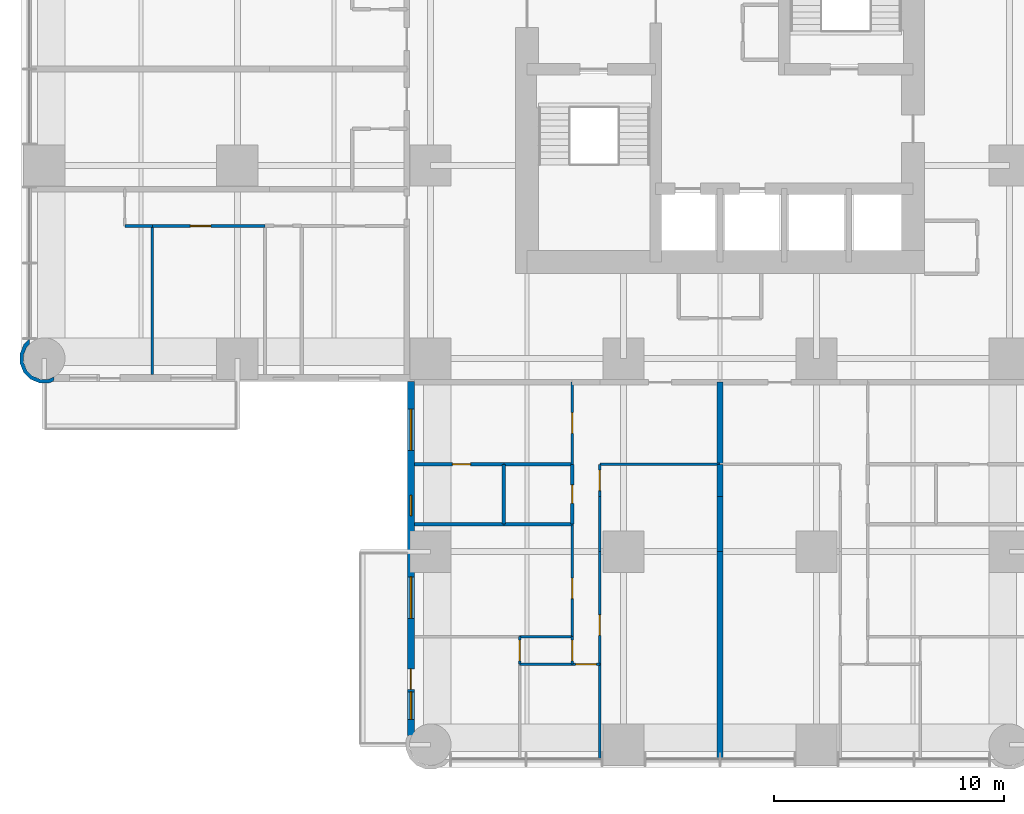
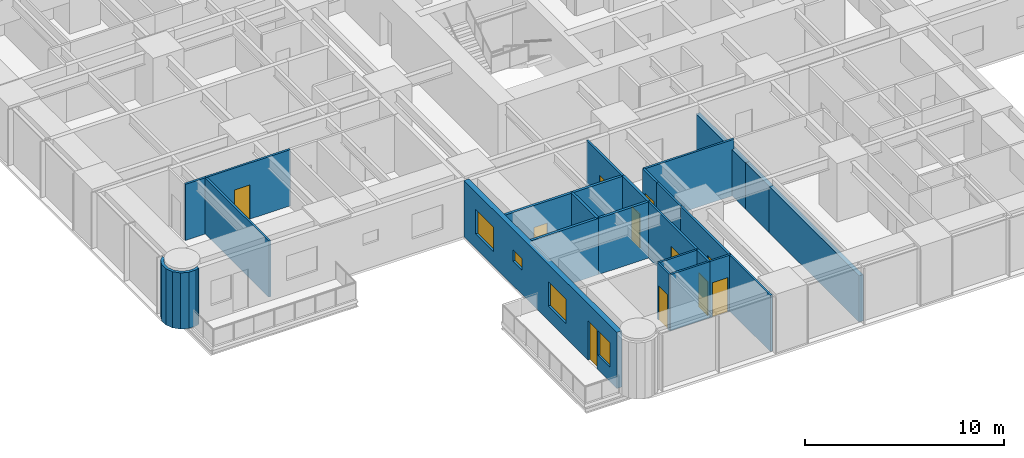
# One storey, part 7 of 17: 27 walls, 11 doors, 4 windows, 15 openings.
"""IFC4 building model written with IfcOpenShell, lengths in metres."""

from ifc_helpers import new_model, si_unit, direction, frame, frame_2d, origin, place, context, subcontext, project, spatial, polyline, rectangle, outline, extrude, material, layer, layer_set, type_object, element, fill, save


model = new_model("IFC4")

# Units and contexts
model_context = context("Model", 3, precision=1e-05, world=origin(), true_north=direction((0.0, 1.0)))
body_context = subcontext(model_context, "Body", "Model", "MODEL_VIEW")
ifc_project = project(units=[si_unit("LENGTHUNIT", "METRE"), si_unit("AREAUNIT", "SQUARE_METRE"), si_unit("VOLUMEUNIT", "CUBIC_METRE"), si_unit("PLANEANGLEUNIT", "RADIAN"), si_unit("MASSUNIT", "GRAM", prefix="KILO")], contexts=[model_context])

# Site, building, storey
site_placement = place(None, origin())
site = spatial("IfcSite", under=ifc_project, at=site_placement, CompositionType="ELEMENT")
building_placement = place(site_placement, origin())
building = spatial("IfcBuilding", under=site, at=building_placement, Name="Torre Alcanfor", CompositionType="ELEMENT")
storey_placement = place(building_placement, frame((0.0, 0.0, 66.89990234375)))
storey = spatial("IfcBuildingStorey", under=building, at=storey_placement, Name="L16", CompositionType="ELEMENT", Elevation=66.89990234375)

# Wall
ifc_material_1 = material(Name="Gypsum board on steel studs", Category="steel")
ifc_layer_1 = layer(ifc_material_1, 0.1201171875)
ifc_layer_set_1 = layer_set([ifc_layer_1], Name="Apartment partition 120")
wall_type_1 = type_object("IfcWallType", Name="Apartment partition 120", PredefinedType="PARTITIONING", material=ifc_layer_set_1)
wall_1_placement = place(storey_placement, frame((29.39990234375, 12.199951171875, 0.0), z_axis=(0.0, 0.0, 1.0), x_axis=(-1.0, 0.0, 0.0)))
element("IfcWall", 1, at=wall_1_placement, inside=storey, type_object=wall_type_1, Name="Partition L16-S2-ZAG / L16-S2-LAUND", PredefinedType="PARTITIONING", context=body_context, shape_type="SweptSolid", body=[
    extrude(rectangle(XDim=5.22900390625, YDim=0.1201171875, at=frame_2d((2.614501953125, 0.0))), origin(), (0.0, 0.0, 1.0), 3.4501953125),
])

# Wall, opening, door
wall_2_placement = place(storey_placement, frame((24.1708984375, 10.800048828125, 0.0), z_axis=(0.0, 0.0, 1.0), x_axis=(0.0, 1.0, 0.0)))
wall_2 = element("IfcWall", 2, at=wall_2_placement, inside=storey, type_object=wall_type_1, Name="Partition L16-S2-LAUND / L16-S2-HALL", PredefinedType="PARTITIONING", context=body_context, shape_type="SweptSolid", body=[
    extrude(rectangle(XDim=1.39990234375, YDim=0.1201171875, at=frame_2d((0.699951171875, 0.0))), origin(), (0.0, 0.0, 1.0), 3.4501953125),
])
opening_1_placement = place(wall_2_placement, frame((0.25, 0.0, 0.0)))
opening_1 = element("IfcOpeningElement", 3, at=opening_1_placement, cuts=wall_2, Name="Opening D-R1", PredefinedType="OPENING", context=body_context, shape_type="SweptSolid", body=[
    extrude(rectangle(XDim=0.89990234375, YDim=2.10009765625, at=frame_2d((0.449951171875, 1.050048828125))), frame((0.0, 0.070068359375, 0.0), z_axis=(0.0, -1.0, 0.0), x_axis=(1.0, 0.0, 0.0)), (0.0, 0.0, 1.0), 0.14013671875),
])
ifc_material_2 = material(Name="Timber", Category="wood")
door_type_1 = type_object("IfcDoorType", Name="Internal door 900x2100", OperationType="SINGLE_SWING_LEFT", PredefinedType="DOOR", material=ifc_material_2)
door_1_placement = place(opening_1_placement, frame((0.89990234375, 0.0, 0.0), z_axis=(0.0, 0.0, 1.0), x_axis=(-1.0, 0.0, 0.0)))
door_1 = element("IfcDoor", 4, at=door_1_placement, inside=storey, type_object=door_type_1, Name="Door L16-S2 laund", OperationType="SINGLE_SWING_RIGHT", OverallHeight=2.10009765625, OverallWidth=0.89990234375, PredefinedType="DOOR", context=body_context, shape_type="SweptSolid", body=[
    extrude(rectangle(XDim=0.89990234375, YDim=2.10009765625, at=frame_2d((0.449951171875, 1.050048828125))), frame((0.0, 0.025146484375, 0.0), z_axis=(0.0, -1.0, 0.0), x_axis=(1.0, 0.0, 0.0)), (0.0, 0.0, 1.0), 0.050048828125),
])
fill(opening_1, door_1)

# Wall
wall_3_placement = place(storey_placement, frame((24.1708984375, 8.39990234375, 0.0), z_axis=(0.0, 0.0, 1.0), x_axis=(0.0, 1.0, 0.0)))
element("IfcWall", 5, at=wall_3_placement, inside=storey, type_object=wall_type_1, Name="Partition L16-S2-KITCHEN / L16-S2-HALL", PredefinedType="PARTITIONING", context=body_context, shape_type="SweptSolid", body=[
    extrude(rectangle(XDim=2.400146484375, YDim=0.1201171875, at=frame_2d((1.2001953125, 0.0))), origin(), (0.0, 0.0, 1.0), 3.4501953125),
])

# Wall, opening, door
wall_4_placement = place(storey_placement, frame((24.1708984375, 3.5, 0.0), z_axis=(0.0, 0.0, 1.0), x_axis=(0.0, 1.0, 0.0)))
wall_4 = element("IfcWall", 6, at=wall_4_placement, inside=storey, type_object=wall_type_1, Name="Partition L16-S2-LIVING / L16-S2-HALL", PredefinedType="PARTITIONING", context=body_context, shape_type="SweptSolid", body=[
    extrude(rectangle(XDim=4.89990234375, YDim=0.1201171875, at=frame_2d((2.449951171875, 0.0))), origin(), (0.0, 0.0, 1.0), 3.4501953125),
])
opening_2_placement = place(wall_4_placement, frame((1.25, 0.0, 0.0)))
opening_2 = element("IfcOpeningElement", 7, at=opening_2_placement, cuts=wall_4, Name="Opening D-R1", PredefinedType="OPENING", context=body_context, shape_type="SweptSolid", body=[
    extrude(rectangle(XDim=0.89990234375, YDim=2.10009765625, at=frame_2d((0.449951171875, 1.050048828125))), frame((0.0, 0.070068359375, 0.0), z_axis=(0.0, -1.0, 0.0), x_axis=(1.0, 0.0, 0.0)), (0.0, 0.0, 1.0), 0.14013671875),
])
door_2_placement = place(opening_2_placement, frame((0.89990234375, 0.0, 0.0), z_axis=(0.0, 0.0, 1.0), x_axis=(-1.0, 0.0, 0.0)))
door_2 = element("IfcDoor", 8, at=door_2_placement, inside=storey, type_object=door_type_1, Name="Door L16-S2 living", OperationType="SINGLE_SWING_LEFT", OverallHeight=2.10009765625, OverallWidth=0.89990234375, PredefinedType="DOOR", context=body_context, shape_type="SweptSolid", body=[
    extrude(rectangle(XDim=0.89990234375, YDim=2.10009765625, at=frame_2d((0.449951171875, 1.050048828125))), frame((0.0, 0.025146484375, 0.0), z_axis=(0.0, -1.0, 0.0), x_axis=(1.0, 0.0, 0.0)), (0.0, 0.0, 1.0), 0.050048828125),
])
fill(opening_2, door_2)

# Wall
wall_5_placement = place(storey_placement, frame((24.1708984375, -0.64990234375, 0.0), z_axis=(0.0, 0.0, 1.0), x_axis=(0.0, 1.0, 0.0)))
element("IfcWall", 9, at=wall_5_placement, inside=storey, type_object=wall_type_1, Name="Partition L16-S2-LIVING / L16-S2-BED2", PredefinedType="PARTITIONING", context=body_context, shape_type="SweptSolid", body=[
    extrude(rectangle(XDim=4.14990234375, YDim=0.1201171875, at=frame_2d((2.074951171875, 0.0))), origin(), (0.0, 0.0, 1.0), 3.4501953125),
])

# Wall, opening, door
wall_6_placement = place(storey_placement, frame((22.970947265625, 12.199951171875, 0.0), z_axis=(0.0, 0.0, 1.0), x_axis=(0.0, 1.0, 0.0)))
wall_6 = element("IfcWall", 10, at=wall_6_placement, inside=storey, type_object=wall_type_1, Name="Partition L16-S2-HALL / L16-S2-SERV", PredefinedType="PARTITIONING", context=body_context, shape_type="SweptSolid", body=[
    extrude(rectangle(XDim=3.574951171875, YDim=0.1201171875, at=frame_2d((1.78759765625, 0.0))), origin(), (0.0, 0.0, 1.0), 3.4501953125),
])
opening_3_placement = place(wall_6_placement, frame((1.35009765625, 0.0, 0.0)))
opening_3 = element("IfcOpeningElement", 11, at=opening_3_placement, cuts=wall_6, Name="Opening D-R1", PredefinedType="OPENING", context=body_context, shape_type="SweptSolid", body=[
    extrude(rectangle(XDim=0.89990234375, YDim=2.10009765625, at=frame_2d((0.449951171875, 1.050048828125))), frame((0.0, 0.070068359375, 0.0), z_axis=(0.0, -1.0, 0.0), x_axis=(1.0, 0.0, 0.0)), (0.0, 0.0, 1.0), 0.14013671875),
])
door_3_placement = place(opening_3_placement, origin())
door_3 = element("IfcDoor", 12, at=door_3_placement, inside=storey, type_object=door_type_1, Name="Door L16-S2 serv", OperationType="SINGLE_SWING_RIGHT", OverallHeight=2.10009765625, OverallWidth=0.89990234375, PredefinedType="DOOR", context=body_context, shape_type="SweptSolid", body=[
    extrude(rectangle(XDim=0.89990234375, YDim=2.10009765625, at=frame_2d((0.449951171875, 1.050048828125))), frame((0.0, 0.02490234375, 0.0), z_axis=(0.0, -1.0, 0.0), x_axis=(1.0, 0.0, 0.0)), (0.0, 0.0, 1.0), 0.050048828125),
])
fill(opening_3, door_3)

wall_7_placement = place(storey_placement, frame((22.970947265625, 4.699951171875, 0.0), z_axis=(0.0, 0.0, 1.0), x_axis=(0.0, 1.0, 0.0)))
wall_7 = element("IfcWall", 13, at=wall_7_placement, inside=storey, type_object=wall_type_1, Name="Partition L16-S2-HALL / L16-S2-BED3", PredefinedType="PARTITIONING", context=body_context, shape_type="SweptSolid", body=[
    extrude(rectangle(XDim=4.900146484375, YDim=0.1201171875, at=frame_2d((2.4501953125, 0.0))), origin(), (0.0, 0.0, 1.0), 3.4501953125),
])
opening_4_placement = place(wall_7_placement, frame((1.64990234375, 0.0, 0.0)))
opening_4 = element("IfcOpeningElement", 14, at=opening_4_placement, cuts=wall_7, Name="Opening D-R1", PredefinedType="OPENING", context=body_context, shape_type="SweptSolid", body=[
    extrude(rectangle(XDim=0.89990234375, YDim=2.10009765625, at=frame_2d((0.449951171875, 1.050048828125))), frame((0.0, 0.070068359375, 0.0), z_axis=(0.0, -1.0, 0.0), x_axis=(1.0, 0.0, 0.0)), (0.0, 0.0, 1.0), 0.14013671875),
])
door_4_placement = place(opening_4_placement, origin())
door_4 = element("IfcDoor", 15, at=door_4_placement, inside=storey, type_object=door_type_1, Name="Door L16-S2 bed3", OperationType="SINGLE_SWING_LEFT", OverallHeight=2.10009765625, OverallWidth=0.89990234375, PredefinedType="DOOR", context=body_context, shape_type="SweptSolid", body=[
    extrude(rectangle(XDim=0.89990234375, YDim=2.10009765625, at=frame_2d((0.449951171875, 1.050048828125))), frame((0.0, 0.02490234375, 0.0), z_axis=(0.0, -1.0, 0.0), x_axis=(1.0, 0.0, 0.0)), (0.0, 0.0, 1.0), 0.050048828125),
])
fill(opening_4, door_4)

wall_8_placement = place(storey_placement, frame((22.970947265625, 3.5, 0.0), z_axis=(0.0, 0.0, 1.0), x_axis=(0.0, 1.0, 0.0)))
wall_8 = element("IfcWall", 16, at=wall_8_placement, inside=storey, type_object=wall_type_1, Name="Partition L16-S2-HALL / L16-S2-VEST", PredefinedType="PARTITIONING", context=body_context, shape_type="SweptSolid", body=[
    extrude(rectangle(XDim=1.199951171875, YDim=0.1201171875, at=frame_2d((0.60009765625, 0.0))), origin(), (0.0, 0.0, 1.0), 3.4501953125),
])
opening_5_placement = place(wall_8_placement, frame((0.14990234375, 0.0, 0.0)))
opening_5 = element("IfcOpeningElement", 17, at=opening_5_placement, cuts=wall_8, Name="Opening D-R1", PredefinedType="OPENING", context=body_context, shape_type="SweptSolid", body=[
    extrude(rectangle(XDim=0.89990234375, YDim=2.10009765625, at=frame_2d((0.449951171875, 1.050048828125))), frame((0.0, 0.070068359375, 0.0), z_axis=(0.0, -1.0, 0.0), x_axis=(1.0, 0.0, 0.0)), (0.0, 0.0, 1.0), 0.14013671875),
])
door_5_placement = place(opening_5_placement, origin())
door_5 = element("IfcDoor", 18, at=door_5_placement, inside=storey, type_object=door_type_1, Name="Door L16-S2 vest", OperationType="SINGLE_SWING_LEFT", OverallHeight=2.10009765625, OverallWidth=0.89990234375, PredefinedType="DOOR", context=body_context, shape_type="SweptSolid", body=[
    extrude(rectangle(XDim=0.89990234375, YDim=2.10009765625, at=frame_2d((0.449951171875, 1.050048828125))), frame((0.0, 0.02490234375, 0.0), z_axis=(0.0, -1.0, 0.0), x_axis=(1.0, 0.0, 0.0)), (0.0, 0.0, 1.0), 0.050048828125),
])
fill(opening_5, door_5)

wall_9_placement = place(storey_placement, frame((24.1708984375, 3.5, 0.0), z_axis=(0.0, 0.0, 1.0), x_axis=(-1.0, 0.0, 0.0)))
wall_9 = element("IfcWall", 19, at=wall_9_placement, inside=storey, type_object=wall_type_1, Name="Partition L16-S2-HALL / L16-S2-BED2", PredefinedType="PARTITIONING", context=body_context, shape_type="SweptSolid", body=[
    extrude(rectangle(XDim=1.199951171875, YDim=0.1201171875, at=frame_2d((0.60009765625, 0.0))), origin(), (0.0, 0.0, 1.0), 3.4501953125),
])
opening_6_placement = place(wall_9_placement, frame((0.15087890625, 0.0, 0.0)))
opening_6 = element("IfcOpeningElement", 20, at=opening_6_placement, cuts=wall_9, Name="Opening D-R1", PredefinedType="OPENING", context=body_context, shape_type="SweptSolid", body=[
    extrude(rectangle(XDim=0.89990234375, YDim=2.10009765625, at=frame_2d((0.449951171875, 1.050048828125))), frame((0.0, 0.070068359375, 0.0), z_axis=(0.0, -1.0, 0.0), x_axis=(1.0, 0.0, 0.0)), (0.0, 0.0, 1.0), 0.14013671875),
])
door_6_placement = place(opening_6_placement, origin())
door_6 = element("IfcDoor", 21, at=door_6_placement, inside=storey, type_object=door_type_1, Name="Door L16-S2 bed2", OperationType="SINGLE_SWING_LEFT", OverallHeight=2.10009765625, OverallWidth=0.89990234375, PredefinedType="DOOR", context=body_context, shape_type="SweptSolid", body=[
    extrude(rectangle(XDim=0.89990234375, YDim=2.10009765625, at=frame_2d((0.449951171875, 1.050048828125))), frame((0.0, 0.02490234375, 0.0), z_axis=(0.0, -1.0, 0.0), x_axis=(1.0, 0.0, 0.0)), (0.0, 0.0, 1.0), 0.050048828125),
])
fill(opening_6, door_6)

# Walls
for number, where, z_axis, x_axis, name in (
    (22, (22.970947265625, 4.699951171875, 0.0), (0.0, 0.0, 1.0), (-1.0, 0.0, 0.0), "Partition L16-S2-BED3 / L16-S2-VEST"),
    (23, (22.970947265625, 3.5, 0.0), (0.0, 0.0, 1.0), (-1.0, 0.0, 0.0), "Partition L16-S2-VEST / L16-S2-BED2"),
):
    element("IfcWall", number, at=place(storey_placement, frame(where, z_axis=z_axis, x_axis=x_axis)), inside=storey, type_object=wall_type_1, Name=name, PredefinedType="PARTITIONING", context=body_context, shape_type="SweptSolid", body=[
        extrude(rectangle(XDim=2.284912109375, YDim=0.1201171875, at=frame_2d((1.142578125, 0.0))), origin(), (0.0, 0.0, 1.0), 3.4501953125),
    ])

# Wall, opening, door
wall_10_placement = place(storey_placement, frame((20.68603515625, 3.5, 0.0), z_axis=(0.0, 0.0, 1.0), x_axis=(0.0, 1.0, 0.0)))
wall_10 = element("IfcWall", 24, at=wall_10_placement, inside=storey, type_object=wall_type_1, Name="Partition L16-S2-VEST / L16-S2-MASTER", PredefinedType="PARTITIONING", context=body_context, shape_type="SweptSolid", body=[
    extrude(rectangle(XDim=1.199951171875, YDim=0.1201171875, at=frame_2d((0.60009765625, 0.0))), origin(), (0.0, 0.0, 1.0), 3.4501953125),
])
opening_7_placement = place(wall_10_placement, frame((0.14990234375, 0.0, 0.0)))
opening_7 = element("IfcOpeningElement", 25, at=opening_7_placement, cuts=wall_10, Name="Opening D-R1", PredefinedType="OPENING", context=body_context, shape_type="SweptSolid", body=[
    extrude(rectangle(XDim=0.89990234375, YDim=2.10009765625, at=frame_2d((0.449951171875, 1.050048828125))), frame((0.0, 0.070068359375, 0.0), z_axis=(0.0, -1.0, 0.0), x_axis=(1.0, 0.0, 0.0)), (0.0, 0.0, 1.0), 0.14013671875),
])
door_7_placement = place(opening_7_placement, frame((0.89990234375, 0.0, 0.0), z_axis=(0.0, 0.0, 1.0), x_axis=(-1.0, 0.0, 0.0)))
door_7 = element("IfcDoor", 26, at=door_7_placement, inside=storey, type_object=door_type_1, Name="Door L16-S2 master", OperationType="SINGLE_SWING_RIGHT", OverallHeight=2.10009765625, OverallWidth=0.89990234375, PredefinedType="DOOR", context=body_context, shape_type="SweptSolid", body=[
    extrude(rectangle(XDim=0.89990234375, YDim=2.10009765625, at=frame_2d((0.449951171875, 1.050048828125))), frame((0.0, 0.025146484375, 0.0), z_axis=(0.0, -1.0, 0.0), x_axis=(1.0, 0.0, 0.0)), (0.0, 0.0, 1.0), 0.050048828125),
])
fill(opening_7, door_7)

wall_11_placement = place(storey_placement, frame((4.699951171875, 22.571044921875, 0.0), z_axis=(0.0, 0.0, 1.0), x_axis=(1.0, 0.0, 0.0)))
wall_11 = element("IfcWall", 27, at=wall_11_placement, inside=storey, type_object=wall_type_1, Name="Partition L16-W1B-HALL / L16-W1B-MASTER", PredefinedType="PARTITIONING", context=body_context, shape_type="SweptSolid", body=[
    extrude(rectangle(XDim=4.900146484375, YDim=0.1201171875, at=frame_2d((2.4501953125, 0.0))), origin(), (0.0, 0.0, 1.0), 3.4501953125),
])
opening_8_placement = place(wall_11_placement, frame((1.64990234375, 0.0, 0.0)))
opening_8 = element("IfcOpeningElement", 28, at=opening_8_placement, cuts=wall_11, Name="Opening D-R1", PredefinedType="OPENING", context=body_context, shape_type="SweptSolid", body=[
    extrude(rectangle(XDim=0.89990234375, YDim=2.10009765625, at=frame_2d((0.449951171875, 1.050048828125))), frame((0.0, 0.070068359375, 0.0), z_axis=(0.0, -1.0, 0.0), x_axis=(1.0, 0.0, 0.0)), (0.0, 0.0, 1.0), 0.14013671875),
])
door_8_placement = place(opening_8_placement, frame((0.89990234375, 0.0, 0.0), z_axis=(0.0, 0.0, 1.0), x_axis=(-1.0, 0.0, 0.0)))
door_8 = element("IfcDoor", 29, at=door_8_placement, inside=storey, type_object=door_type_1, Name="Door L16-W1B master", OperationType="SINGLE_SWING_RIGHT", OverallHeight=2.10009765625, OverallWidth=0.89990234375, PredefinedType="DOOR", context=body_context, shape_type="SweptSolid", body=[
    extrude(rectangle(XDim=0.89990234375, YDim=2.10009765625, at=frame_2d((0.449951171875, 1.050048828125))), frame((0.0, 0.025146484375, 0.0), z_axis=(0.0, -1.0, 0.0), x_axis=(1.0, 0.0, 0.0)), (0.0, 0.0, 1.0), 0.050048828125),
])
fill(opening_8, door_8)

# Walls
wall_12_placement = place(storey_placement, frame((3.5, 22.571044921875, 0.0), z_axis=(0.0, 0.0, 1.0), x_axis=(1.0, 0.0, 0.0)))
element("IfcWall", 30, at=wall_12_placement, inside=storey, type_object=wall_type_1, Name="Partition L16-W1B-HALL / L16-W1B-KITCHEN", PredefinedType="PARTITIONING", context=body_context, shape_type="SweptSolid", body=[
    extrude(rectangle(XDim=1.199951171875, YDim=0.1201171875, at=frame_2d((0.60009765625, 0.0))), origin(), (0.0, 0.0, 1.0), 3.4501953125),
])
wall_13_placement = place(storey_placement, frame((4.699951171875, 22.571044921875, 0.0), z_axis=(0.0, 0.0, 1.0), x_axis=(0.0, -1.0, 0.0)))
element("IfcWall", 31, at=wall_13_placement, inside=storey, type_object=wall_type_1, Name="Partition L16-W1B-MASTER / L16-W1B-KITCHEN", PredefinedType="PARTITIONING", context=body_context, shape_type="SweptSolid", body=[
    extrude(rectangle(XDim=6.470947265625, YDim=0.1201171875, at=frame_2d((3.2353515625, 0.0))), origin(), (0.0, 0.0, 1.0), 3.4501953125),
])

# Wall, openings, door, windows
ifc_material_3 = material(Name="Limestone cladding", Category="masonry")
ifc_layer_2 = layer(ifc_material_3, 0.0400390625, Name="Facing")
ifc_material_4 = material(Name="Ventilated air cavity")
ifc_layer_3 = layer(ifc_material_4, 0.02001953125, ventilated=True, Name="Ventilated joint")
ifc_material_5 = material(Name="Mineral wool insulation", Category="insulation")
ifc_layer_4 = layer(ifc_material_5, 0.10009765625, Name="Insulation")
ifc_material_6 = material(Name="Concrete f'c 35 MPa", Category="concrete")
ifc_layer_5 = layer(ifc_material_6, 0.139892578125, Name="Backing")
ifc_layer_set_2 = layer_set([ifc_layer_2, ifc_layer_3, ifc_layer_4, ifc_layer_5], Name="External wall stone-clad 300")
wall_type_2 = type_object("IfcWallType", Name="External wall stone-clad 300", PredefinedType="SOLIDWALL", material=ifc_layer_set_2)
wall_14_placement = place(storey_placement, frame((15.949951171875, 15.800048828125, 0.0), z_axis=(0.0, 0.0, 1.0), x_axis=(0.0, -1.0, 0.0)))
wall_14 = element("IfcWall", 32, at=wall_14_placement, inside=storey, type_object=wall_type_2, Name="External wall L16 4", PredefinedType="SOLIDWALL", context=body_context, shape_type="SweptSolid", body=[
    extrude(rectangle(XDim=15.400146484375, YDim=0.300048828125, at=frame_2d((7.7001953125, 0.0))), origin(), (0.0, 0.0, 1.0), 3.4501953125),
])
opening_9_placement = place(wall_14_placement, frame((1.199951171875, 0.0, 0.89990234375)))
opening_9 = element("IfcOpeningElement", 33, at=opening_9_placement, cuts=wall_14, Name="Opening W2", PredefinedType="OPENING", context=body_context, shape_type="SweptSolid", body=[
    extrude(rectangle(XDim=1.800048828125, YDim=1.5, at=frame_2d((0.89990234375, 0.75))), frame((0.0, 0.159912109375, 0.0), z_axis=(0.0, -1.0, 0.0), x_axis=(1.0, 0.0, 0.0)), (0.0, 0.0, 1.0), 0.320068359375),
])
opening_10_placement = place(wall_14_placement, frame((4.949951171875, 0.0, 1.5)))
opening_10 = element("IfcOpeningElement", 34, at=opening_10_placement, cuts=wall_14, Name="Opening W3", PredefinedType="OPENING", context=body_context, shape_type="SweptSolid", body=[
    extrude(rectangle(XDim=0.89990234375, YDim=0.699951171875, at=frame_2d((0.449951171875, 0.35009765625))), frame((0.0, 0.159912109375, 0.0), z_axis=(0.0, -1.0, 0.0), x_axis=(1.0, 0.0, 0.0)), (0.0, 0.0, 1.0), 0.320068359375),
])
opening_11_placement = place(wall_14_placement, frame((8.5, 0.0, 0.89990234375)))
opening_11 = element("IfcOpeningElement", 35, at=opening_11_placement, cuts=wall_14, Name="Opening W2", PredefinedType="OPENING", context=body_context, shape_type="SweptSolid", body=[
    extrude(rectangle(XDim=1.800048828125, YDim=1.5, at=frame_2d((0.89990234375, 0.75))), frame((0.0, 0.159912109375, 0.0), z_axis=(0.0, -1.0, 0.0), x_axis=(1.0, 0.0, 0.0)), (0.0, 0.0, 1.0), 0.320068359375),
])
opening_12_placement = place(wall_14_placement, frame((12.5, 0.0, 0.0)))
opening_12 = element("IfcOpeningElement", 36, at=opening_12_placement, cuts=wall_14, Name="Opening D-B1", PredefinedType="OPENING", context=body_context, shape_type="SweptSolid", body=[
    extrude(rectangle(XDim=0.89990234375, YDim=2.39990234375, at=frame_2d((0.449951171875, 1.199951171875))), frame((0.0, 0.159912109375, 0.0), z_axis=(0.0, -1.0, 0.0), x_axis=(1.0, 0.0, 0.0)), (0.0, 0.0, 1.0), 0.320068359375),
])
opening_13_placement = place(wall_14_placement, frame((13.5, 0.0, 0.89990234375)))
opening_13 = element("IfcOpeningElement", 37, at=opening_13_placement, cuts=wall_14, Name="Opening W4", PredefinedType="OPENING", context=body_context, shape_type="SweptSolid", body=[
    extrude(rectangle(XDim=1.199951171875, YDim=1.5, at=frame_2d((0.60009765625, 0.75))), frame((0.0, 0.159912109375, 0.0), z_axis=(0.0, -1.0, 0.0), x_axis=(1.0, 0.0, 0.0)), (0.0, 0.0, 1.0), 0.320068359375),
])
ifc_material_7 = material(Name="Aluminium and glass", Category="aluminium")
door_type_2 = type_object("IfcDoorType", Name="Balcony door glazed 900x2400", OperationType="SINGLE_SWING_LEFT", PredefinedType="DOOR", material=ifc_material_7)
door_9_placement = place(opening_12_placement, origin())
door_9 = element("IfcDoor", 38, at=door_9_placement, inside=storey, type_object=door_type_2, Name="Balcony door L16-S2", OperationType="SINGLE_SWING_LEFT", OverallHeight=2.39990234375, OverallWidth=0.89990234375, PredefinedType="DOOR", context=body_context, shape_type="SweptSolid", body=[
    extrude(rectangle(XDim=0.89990234375, YDim=2.39990234375, at=frame_2d((0.449951171875, 1.199951171875))), frame((0.0, 0.02490234375, 0.0), z_axis=(0.0, -1.0, 0.0), x_axis=(1.0, 0.0, 0.0)), (0.0, 0.0, 1.0), 0.050048828125),
])
fill(opening_12, door_9)
ifc_material_8 = material(Name="Aluminium frame with clear double glazing", Category="aluminium")
window_type_1 = type_object("IfcWindowType", Name="Window bathroom 900x700", PartitioningType="SINGLE_PANEL", PredefinedType="WINDOW", material=ifc_material_8)
window_1_placement = place(opening_10_placement, origin())
window_1 = element("IfcWindow", 39, at=window_1_placement, inside=storey, type_object=window_type_1, Name="Window W3 L16-S2", OverallHeight=0.699951171875, OverallWidth=0.89990234375, PartitioningType="SINGLE_PANEL", PredefinedType="WINDOW", context=body_context, shape_type="SweptSolid", body=[
    extrude(rectangle(XDim=0.89990234375, YDim=0.699951171875, at=frame_2d((0.449951171875, 0.35009765625))), frame((0.0, 0.030029296875, 0.0), z_axis=(0.0, -1.0, 0.0), x_axis=(1.0, 0.0, 0.0)), (0.0, 0.0, 1.0), 0.06005859375),
])
fill(opening_10, window_1)
ifc_material_9 = material(Name="Aluminium frame with clear double glazing", Category="aluminium")
window_type_2 = type_object("IfcWindowType", Name="Window bedroom 1200x1500", PartitioningType="SINGLE_PANEL", PredefinedType="WINDOW", material=ifc_material_9)
window_2_placement = place(opening_13_placement, origin())
window_2 = element("IfcWindow", 40, at=window_2_placement, inside=storey, type_object=window_type_2, Name="Window W4 L16-S2", OverallHeight=1.5, OverallWidth=1.199951171875, PartitioningType="SINGLE_PANEL", PredefinedType="WINDOW", context=body_context, shape_type="SweptSolid", body=[
    extrude(rectangle(XDim=1.199951171875, YDim=1.5, at=frame_2d((0.60009765625, 0.75))), frame((0.0, 0.030029296875, 0.0), z_axis=(0.0, -1.0, 0.0), x_axis=(1.0, 0.0, 0.0)), (0.0, 0.0, 1.0), 0.06005859375),
])
fill(opening_13, window_2)
ifc_material_10 = material(Name="Aluminium frame with clear double glazing", Category="aluminium")
window_type_3 = type_object("IfcWindowType", Name="Window bedroom 1800x1500", PartitioningType="SINGLE_PANEL", PredefinedType="WINDOW", material=ifc_material_10)
window_3_placement = place(opening_9_placement, origin())
window_3 = element("IfcWindow", 41, at=window_3_placement, inside=storey, type_object=window_type_3, Name="Window W2 L16-S2", OverallHeight=1.5, OverallWidth=1.800048828125, PartitioningType="SINGLE_PANEL", PredefinedType="WINDOW", context=body_context, shape_type="SweptSolid", body=[
    extrude(rectangle(XDim=1.800048828125, YDim=1.5, at=frame_2d((0.89990234375, 0.75))), frame((0.0, 0.030029296875, 0.0), z_axis=(0.0, -1.0, 0.0), x_axis=(1.0, 0.0, 0.0)), (0.0, 0.0, 1.0), 0.06005859375),
])
fill(opening_9, window_3)
window_4_placement = place(opening_11_placement, origin())
window_4 = element("IfcWindow", 42, at=window_4_placement, inside=storey, type_object=window_type_3, Name="Window W2 L16-S2", OverallHeight=1.5, OverallWidth=1.800048828125, PartitioningType="SINGLE_PANEL", PredefinedType="WINDOW", context=body_context, shape_type="SweptSolid", body=[
    extrude(rectangle(XDim=1.800048828125, YDim=1.5, at=frame_2d((0.89990234375, 0.75))), frame((0.0, 0.030029296875, 0.0), z_axis=(0.0, -1.0, 0.0), x_axis=(1.0, 0.0, 0.0)), (0.0, 0.0, 1.0), 0.06005859375),
])
fill(opening_11, window_4)

# Walls
ifc_material_11 = material(Name="Concrete block masonry, hollow blocks NMX-C-404 9 MPa", Category="masonry")
ifc_layer_6 = layer(ifc_material_11, 0.25)
ifc_layer_set_3 = layer_set([ifc_layer_6], Name="Party wall 250 EI 60")
wall_type_3 = type_object("IfcWallType", Name="Party wall 250 EI 60", PredefinedType="PARTITIONING", material=ifc_layer_set_3)
wall_15_placement = place(storey_placement, frame((29.39990234375, 15.77490234375, 0.0), z_axis=(0.0, 0.0, 1.0), x_axis=(0.0, -1.0, 0.0)))
element("IfcWall", 43, at=wall_15_placement, inside=storey, type_object=wall_type_3, Name="Partition L16-S1-ZAG / L16-S2-ZAG", PredefinedType="PARTITIONING", context=body_context, shape_type="SweptSolid", body=[
    extrude(rectangle(XDim=3.574951171875, YDim=0.25, at=frame_2d((1.78759765625, 0.0))), origin(), (0.0, 0.0, 1.0), 2.84814453125),
])
wall_16_placement = place(storey_placement, frame((29.39990234375, 12.199951171875, 0.0), z_axis=(0.0, 0.0, 1.0), x_axis=(0.0, -1.0, 0.0)))
element("IfcWall", 44, at=wall_16_placement, inside=storey, type_object=wall_type_3, Name="Partition L16-S1-LAUND / L16-S2-LAUND", PredefinedType="PARTITIONING", context=body_context, shape_type="SweptSolid", body=[
    extrude(rectangle(XDim=1.39990234375, YDim=0.25, at=frame_2d((0.699951171875, 0.0))), origin(), (0.0, 0.0, 1.0), 2.84814453125),
])
wall_17_placement = place(storey_placement, frame((29.39990234375, 10.800048828125, 0.0), z_axis=(0.0, 0.0, 1.0), x_axis=(0.0, -1.0, 0.0)))
element("IfcWall", 45, at=wall_17_placement, inside=storey, type_object=wall_type_3, Name="Partition L16-S1-KITCHEN / L16-S2-KITCHEN", PredefinedType="PARTITIONING", context=body_context, shape_type="SweptSolid", body=[
    extrude(rectangle(XDim=2.400146484375, YDim=0.25, at=frame_2d((1.2001953125, 0.0))), origin(), (0.0, 0.0, 1.0), 2.84814453125),
])
wall_18_placement = place(storey_placement, frame((29.39990234375, 8.39990234375, 0.0), z_axis=(0.0, 0.0, 1.0), x_axis=(0.0, -1.0, 0.0)))
element("IfcWall", 46, at=wall_18_placement, inside=storey, type_object=wall_type_3, Name="Partition L16-S1-LIVING / L16-S2-LIVING", PredefinedType="PARTITIONING", context=body_context, shape_type="SweptSolid", body=[
    extrude(rectangle(XDim=9.0498046875, YDim=0.25, at=frame_2d((4.52490234375, 0.0))), origin(), (0.0, 0.0, 1.0), 2.84814453125),
])
ifc_layer_7 = layer(ifc_material_3, 0.0400390625, Name="Facing")
ifc_layer_8 = layer(ifc_material_4, 0.02001953125, ventilated=True, Name="Ventilated joint")
ifc_layer_9 = layer(ifc_material_5, 0.10009765625, Name="Insulation")
ifc_layer_10 = layer(ifc_material_6, 0.139892578125, Name="Backing")
ifc_layer_set_4 = layer_set([ifc_layer_7, ifc_layer_8, ifc_layer_9, ifc_layer_10], Name="Rounded corner pier stone-clad 300")
wall_type_4 = type_object("IfcWallType", Name="Rounded corner pier stone-clad 300", PredefinedType="SOLIDWALL", material=ifc_layer_set_4)
wall_19_placement = place(storey_placement, frame((-0.610519256, 17.56659392, 0.0), z_axis=(0.0, 0.0, 1.0), x_axis=(-0.926129809145, -0.377204953059, 0.0)))
element("IfcWall", 47, at=wall_19_placement, inside=storey, type_object=wall_type_4, Name="Corner pier L16 14", PredefinedType="SOLIDWALL", context=body_context, shape_type="SweptSolid", body=[
    extrude(outline(polyline([(-0.2694320048751383, 2.0171861008885523), (-0.3700526678318482, 1.8406866495551875), (-0.10232913830325796, 1.8423628952563784), (0.22959433821660935, 1.7071732294627), (0.4846648868960458, 1.4551341488862783), (0.6237723089217844, 1.1248457008471362), (0.6256501657648526, 0.7663568996565957), (0.49046049997117414, 0.4344334231367283), (0.2387396163581813, 0.17949688931473468), (0.09014163443691028, 0.11691195088889664), (0.010851237809964043, -0.07776523799639344), (0.024417592436116662, -0.08329070117597158), (0.32956848036437986, 0.045229547111777235), (0.4801338191951393, 0.19743274075920003), (0.4990091877024963, 0.1926447125875501), (0.5075557555746872, 0.2252788612711387), (0.6260018077392729, 0.3452223941390844), (0.7850430562581303, 0.7357073014618439), (0.782472278983801, 1.15721841463542), (0.6187061231885674, 1.5460551039454697), (0.3187132761612602, 1.8424884313203629), (-0.07154552525106339, 2.0014375887862275), (-0.2401131340992967, 2.00049972024067), (-0.2694320048751383, 2.0171861008885523)])), origin(), (0.0, 0.0, 1.0), 3.4501953125),
])

# Wall, opening, door
ifc_material_12 = material(Name="Cement board on steel studs", Category="steel")
ifc_layer_11 = layer(ifc_material_12, 0.14990234375)
ifc_layer_set_5 = layer_set([ifc_layer_11], Name="Wet area partition 150")
wall_type_5 = type_object("IfcWallType", Name="Wet area partition 150", PredefinedType="PARTITIONING", material=ifc_layer_set_5)
wall_20_placement = place(storey_placement, frame((22.970947265625, 9.60009765625, 0.0), z_axis=(0.0, 0.0, 1.0), x_axis=(0.0, 1.0, 0.0)))
wall_20 = element("IfcWall", 48, at=wall_20_placement, inside=storey, type_object=wall_type_5, Name="Partition L16-S2-HALL / L16-S2-BATH1", PredefinedType="PARTITIONING", context=body_context, shape_type="SweptSolid", body=[
    extrude(rectangle(XDim=2.599853515625, YDim=0.14990234375, at=frame_2d((1.2998046875, 0.0))), origin(), (0.0, 0.0, 1.0), 3.4501953125),
])
opening_14_placement = place(wall_20_placement, frame((0.89990234375, 0.0, 0.0)))
opening_14 = element("IfcOpeningElement", 49, at=opening_14_placement, cuts=wall_20, Name="Opening D-R2", PredefinedType="OPENING", context=body_context, shape_type="SweptSolid", body=[
    extrude(rectangle(XDim=0.800048828125, YDim=2.10009765625, at=frame_2d((0.39990234375, 1.050048828125))), frame((0.0, 0.0849609375, 0.0), z_axis=(0.0, -1.0, 0.0), x_axis=(1.0, 0.0, 0.0)), (0.0, 0.0, 1.0), 0.169921875),
])
ifc_material_13 = material(Name="Timber", Category="wood")
door_type_3 = type_object("IfcDoorType", Name="Bathroom door 800x2100", OperationType="SINGLE_SWING_LEFT", PredefinedType="DOOR", material=ifc_material_13)
door_10_placement = place(opening_14_placement, origin())
door_10 = element("IfcDoor", 50, at=door_10_placement, inside=storey, type_object=door_type_3, Name="Door L16-S2 bath1", OperationType="SINGLE_SWING_LEFT", OverallHeight=2.10009765625, OverallWidth=0.800048828125, PredefinedType="DOOR", context=body_context, shape_type="SweptSolid", body=[
    extrude(rectangle(XDim=0.800048828125, YDim=2.10009765625, at=frame_2d((0.39990234375, 1.050048828125))), frame((0.0, 0.02490234375, 0.0), z_axis=(0.0, -1.0, 0.0), x_axis=(1.0, 0.0, 0.0)), (0.0, 0.0, 1.0), 0.050048828125),
])
fill(opening_14, door_10)

# Wall
wall_21_placement = place(storey_placement, frame((22.970947265625, 12.199951171875, 0.0), z_axis=(0.0, 0.0, 1.0), x_axis=(-1.0, 0.0, 0.0)))
element("IfcWall", 51, at=wall_21_placement, inside=storey, type_object=wall_type_5, Name="Partition L16-S2-SERV / L16-S2-BATH1", PredefinedType="PARTITIONING", context=body_context, shape_type="SweptSolid", body=[
    extrude(rectangle(XDim=2.970947265625, YDim=0.14990234375, at=frame_2d((1.4853515625, 0.0))), origin(), (0.0, 0.0, 1.0), 3.4501953125),
])

# Wall, opening, door
wall_22_placement = place(storey_placement, frame((20.0, 12.199951171875, 0.0), z_axis=(0.0, 0.0, 1.0), x_axis=(-1.0, 0.0, 0.0)))
wall_22 = element("IfcWall", 52, at=wall_22_placement, inside=storey, type_object=wall_type_5, Name="Partition L16-S2-SERV / L16-S2-SBATH", PredefinedType="PARTITIONING", context=body_context, shape_type="SweptSolid", body=[
    extrude(rectangle(XDim=3.89990234375, YDim=0.14990234375, at=frame_2d((1.949951171875, 0.0))), origin(), (0.0, 0.0, 1.0), 3.4501953125),
])
opening_15_placement = place(wall_22_placement, frame((1.449951171875, 0.0, 0.0)))
opening_15 = element("IfcOpeningElement", 53, at=opening_15_placement, cuts=wall_22, Name="Opening D-R2", PredefinedType="OPENING", context=body_context, shape_type="SweptSolid", body=[
    extrude(rectangle(XDim=0.800048828125, YDim=2.10009765625, at=frame_2d((0.39990234375, 1.050048828125))), frame((0.0, 0.0849609375, 0.0), z_axis=(0.0, -1.0, 0.0), x_axis=(1.0, 0.0, 0.0)), (0.0, 0.0, 1.0), 0.169921875),
])
door_11_placement = place(opening_15_placement, origin())
door_11 = element("IfcDoor", 54, at=door_11_placement, inside=storey, type_object=door_type_3, Name="Door L16-S2 sbath", OperationType="SINGLE_SWING_LEFT", OverallHeight=2.10009765625, OverallWidth=0.800048828125, PredefinedType="DOOR", context=body_context, shape_type="SweptSolid", body=[
    extrude(rectangle(XDim=0.800048828125, YDim=2.10009765625, at=frame_2d((0.39990234375, 1.050048828125))), frame((0.0, 0.02490234375, 0.0), z_axis=(0.0, -1.0, 0.0), x_axis=(1.0, 0.0, 0.0)), (0.0, 0.0, 1.0), 0.050048828125),
])
fill(opening_15, door_11)

# Walls
wall_23_placement = place(storey_placement, frame((20.0, 9.60009765625, 0.0), z_axis=(0.0, 0.0, 1.0), x_axis=(0.0, 1.0, 0.0)))
element("IfcWall", 55, at=wall_23_placement, inside=storey, type_object=wall_type_5, Name="Partition L16-S2-BATH1 / L16-S2-SBATH", PredefinedType="PARTITIONING", context=body_context, shape_type="SweptSolid", body=[
    extrude(rectangle(XDim=2.599853515625, YDim=0.14990234375, at=frame_2d((1.2998046875, 0.0))), origin(), (0.0, 0.0, 1.0), 3.4501953125),
])
wall_24_placement = place(storey_placement, frame((22.970947265625, 9.60009765625, 0.0), z_axis=(0.0, 0.0, 1.0), x_axis=(-1.0, 0.0, 0.0)))
element("IfcWall", 56, at=wall_24_placement, inside=storey, type_object=wall_type_5, Name="Partition L16-S2-BATH1 / L16-S2-BED3", PredefinedType="PARTITIONING", context=body_context, shape_type="SweptSolid", body=[
    extrude(rectangle(XDim=2.970947265625, YDim=0.14990234375, at=frame_2d((1.4853515625, 0.0))), origin(), (0.0, 0.0, 1.0), 3.4501953125),
])
wall_25_placement = place(storey_placement, frame((20.0, 9.60009765625, 0.0), z_axis=(0.0, 0.0, 1.0), x_axis=(-1.0, 0.0, 0.0)))
element("IfcWall", 57, at=wall_25_placement, inside=storey, type_object=wall_type_5, Name="Partition L16-S2-SBATH / L16-S2-BED3", PredefinedType="PARTITIONING", context=body_context, shape_type="SweptSolid", body=[
    extrude(rectangle(XDim=3.89990234375, YDim=0.14990234375, at=frame_2d((1.949951171875, 0.0))), origin(), (0.0, 0.0, 1.0), 3.4501953125),
])

save(model, "model.ifc")
